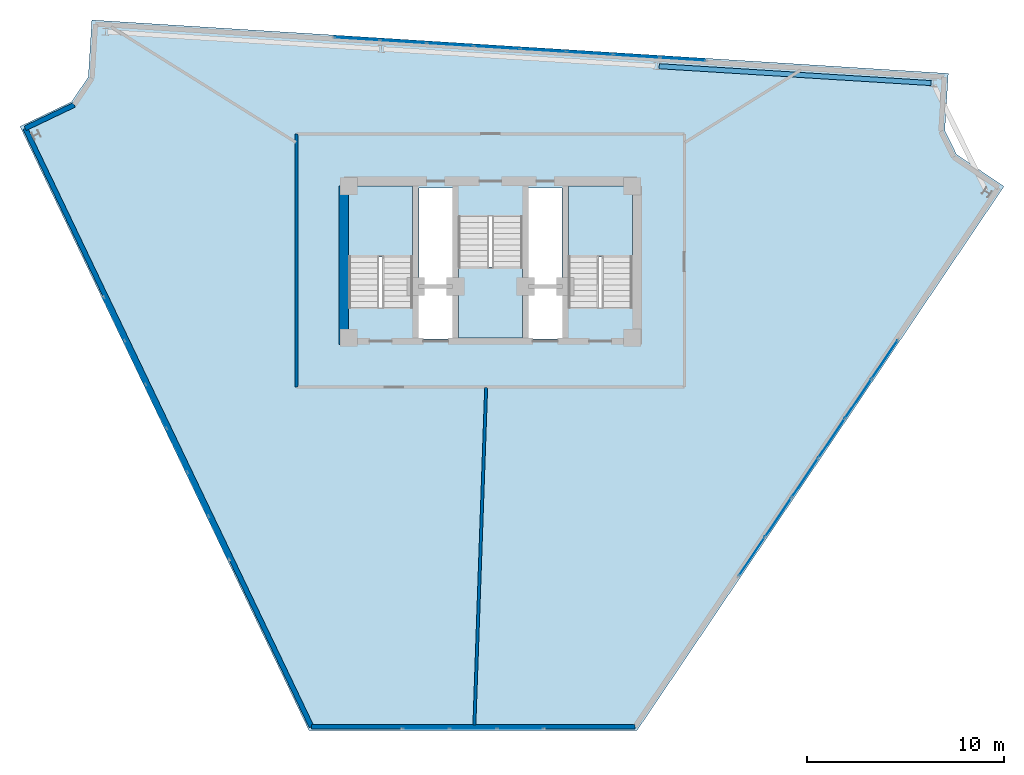
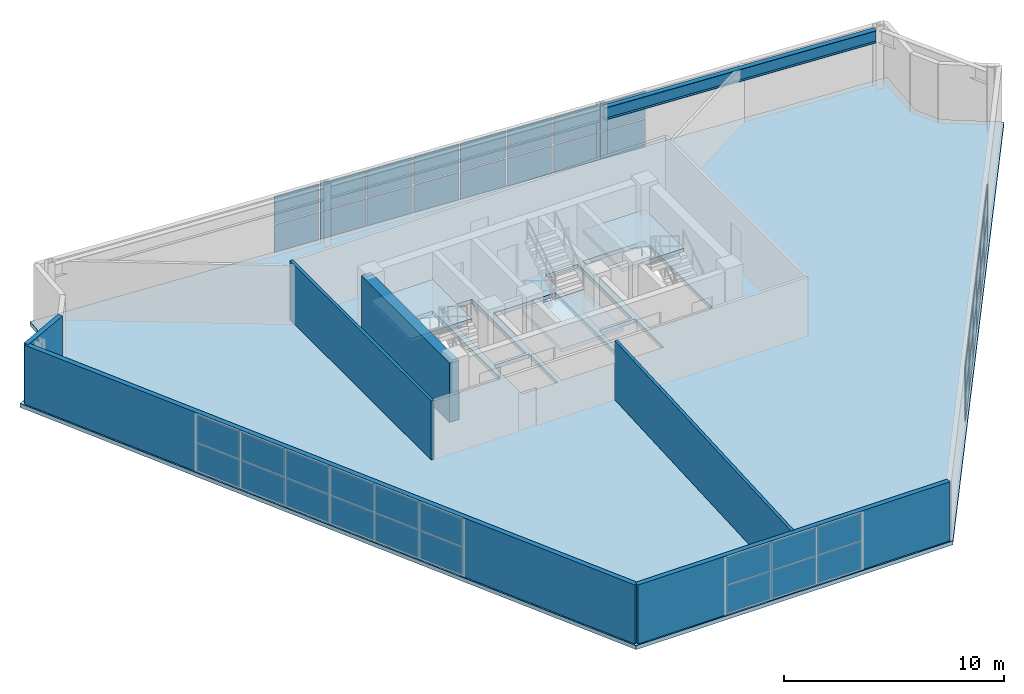
# One storey, part 6 of 8: 46 plates, 6 walls, 4 slabs, 1 beam, 7 elements without a shape of their own.
"""IFC4 building model written with IfcOpenShell, lengths in metres."""

from ifc_helpers import new_model, si_unit, direction, frame, frame_2d, origin, origin_2d, place, context, subcontext, project, spatial, polyline, rectangle, i_section, outline, extrude, material, layer, layer_set, material_profile, profile_set, type_object, element, aggregate, save


model = new_model("IFC4")

# Units and contexts
model_context = context("Model", 3, precision=1e-05, world=origin(), true_north=direction((0.0, 1.0)))
body_context = subcontext(model_context, "Body", "Model", "MODEL_VIEW")
ifc_project = project(units=[si_unit("LENGTHUNIT", "METRE"), si_unit("AREAUNIT", "SQUARE_METRE"), si_unit("VOLUMEUNIT", "CUBIC_METRE"), si_unit("PLANEANGLEUNIT", "RADIAN"), si_unit("MASSUNIT", "GRAM", prefix="KILO")], contexts=[model_context])

# Site, building, storey
site_placement = place(None, origin())
site = spatial("IfcSite", under=ifc_project, at=site_placement, CompositionType="ELEMENT")
building_placement = place(site_placement, origin())
building = spatial("IfcBuilding", under=site, at=building_placement, Name="Apsidion Concourse Tower", CompositionType="ELEMENT")
storey_placement = place(building_placement, frame((0.0, 0.0, 332.5)))
storey = spatial("IfcBuildingStorey", under=building, at=storey_placement, Name="L78", CompositionType="ELEMENT", Elevation=332.5)

# Beam
ifc_material_1 = material(Name="Structural steel ASTM A992 Grade 50", Category="steel")
ifc_material_profile = material_profile(ifc_material_1, i_section(OverallWidth=0.256103515625, OverallDepth=0.693115234375, WebThickness=0.014404296875, FlangeThickness=0.023681640625, at=origin_2d()), Name="W27X114")
ifc_profile_set = profile_set([ifc_material_profile], Name="Structural steel ASTM A992 Grade 50")
beam_type = type_object("IfcBeamType", Name="BM-SP-W27", PredefinedType="SPANDREL", material=ifc_profile_set)
beam_placement = place(storey_placement, frame((22.377197265625, 14.384765625, 2.93359375), z_axis=(-0.998077561187, 0.06197726886, 0.0), x_axis=(-0.06197726886, -0.998077561187, 0.0)))
element("IfcBeam", 1, at=beam_placement, inside=storey, type_object=beam_type, Name="L78 Crown Perimeter Spandrel Beam CSP-03", PredefinedType="SPANDREL", context=body_context, shape_type="SweptSolid", body=[
    extrude(i_section(OverallWidth=0.256103515625, OverallDepth=0.693115234375, WebThickness=0.014404296875, FlangeThickness=0.023681640625, at=origin_2d()), origin(), (0.0, 0.0, 1.0), 13.83447265625),
])

# Curtain wall, plates
ifc_material_2 = material(Name="Insulated laminated low-E glass", Category="glass")
ifc_layer_1 = layer(ifc_material_2, 0.239990234375)
ifc_layer_set_1 = layer_set([ifc_layer_1], Name="Insulated laminated low-E glass")
curtain_wall_type = type_object("IfcCurtainWallType", Name="CW-SYS-06", PredefinedType="NOTDEFINED", material=ifc_layer_set_1)
curtain_wall_1_placement = place(storey_placement, origin())
curtain_wall_1 = element("IfcCurtainWall", 2, at=curtain_wall_1_placement, inside=storey, type_object=curtain_wall_type, Name="L78 Slanted Crown Curtain Wall 4", PredefinedType="NOTDEFINED")
ifc_layer_2 = layer(ifc_material_2, 0.0400390625)
ifc_layer_set_2 = layer_set([ifc_layer_2], Name="Insulated laminated low-E glass")
plate_type = type_object("IfcPlateType", Name="CWP-GLZ-40", PredefinedType="CURTAIN_PANEL", material=ifc_layer_set_2)
plate_1_placement = place(storey_placement, frame((-6.7822265625, 16.6435546875, 0.06494140625), z_axis=(0.0, 0.0, 1.0), x_axis=(0.998060925381, -0.062244591953, 0.0)))
plate_1 = element("IfcPlate", 3, at=plate_1_placement, type_object=plate_type, Name="CW-06 panel 1.1", PredefinedType="CURTAIN_PANEL", context=body_context, shape_type="SweptSolid", body=[
    extrude(rectangle(XDim=2.27734375, YDim=0.0400390625, at=origin_2d()), origin(), (0.0, 0.0, 1.0), 1.517578125),
])
plate_2_placement = place(storey_placement, frame((-6.7822265625, 16.6435546875, 1.6474609375), z_axis=(0.0, 0.0, 1.0), x_axis=(0.998060925381, -0.062244591953, 0.0)))
plate_2 = element("IfcPlate", 4, at=plate_2_placement, type_object=plate_type, Name="CW-06 panel 1.2", PredefinedType="CURTAIN_PANEL", context=body_context, shape_type="SweptSolid", body=[
    extrude(rectangle(XDim=2.27734375, YDim=0.0400390625, at=origin_2d()), origin(), (0.0, 0.0, 1.0), 1.517578125),
])
plate_3_placement = place(storey_placement, frame((-4.42822265625, 16.496826171875, 0.06494140625), z_axis=(0.0, 0.0, 1.0), x_axis=(0.998060925381, -0.062244591953, 0.0)))
plate_3 = element("IfcPlate", 5, at=plate_3_placement, type_object=plate_type, Name="CW-06 panel 2.1", PredefinedType="CURTAIN_PANEL", context=body_context, shape_type="SweptSolid", body=[
    extrude(rectangle(XDim=2.309814453125, YDim=0.0400390625, at=origin_2d()), origin(), (0.0, 0.0, 1.0), 1.517578125),
])
plate_4_placement = place(storey_placement, frame((-4.42822265625, 16.496826171875, 1.6474609375), z_axis=(0.0, 0.0, 1.0), x_axis=(0.998060925381, -0.062244591953, 0.0)))
plate_4 = element("IfcPlate", 6, at=plate_4_placement, type_object=plate_type, Name="CW-06 panel 2.2", PredefinedType="CURTAIN_PANEL", context=body_context, shape_type="SweptSolid", body=[
    extrude(rectangle(XDim=2.309814453125, YDim=0.0400390625, at=origin_2d()), origin(), (0.0, 0.0, 1.0), 1.517578125),
])
plate_5_placement = place(storey_placement, frame((-2.057861328125, 16.34912109375, 0.06494140625), z_axis=(0.0, 0.0, 1.0), x_axis=(0.998060925381, -0.062244591953, 0.0)))
plate_5 = element("IfcPlate", 7, at=plate_5_placement, type_object=plate_type, Name="CW-06 panel 3.1", PredefinedType="CURTAIN_PANEL", context=body_context, shape_type="SweptSolid", body=[
    extrude(rectangle(XDim=2.309814453125, YDim=0.0400390625, at=origin_2d()), origin(), (0.0, 0.0, 1.0), 1.517578125),
])
plate_6_placement = place(storey_placement, frame((-2.057861328125, 16.34912109375, 1.6474609375), z_axis=(0.0, 0.0, 1.0), x_axis=(0.998060925381, -0.062244591953, 0.0)))
plate_6 = element("IfcPlate", 8, at=plate_6_placement, type_object=plate_type, Name="CW-06 panel 3.2", PredefinedType="CURTAIN_PANEL", context=body_context, shape_type="SweptSolid", body=[
    extrude(rectangle(XDim=2.309814453125, YDim=0.0400390625, at=origin_2d()), origin(), (0.0, 0.0, 1.0), 1.517578125),
])
plate_7_placement = place(storey_placement, frame((0.312255859375, 16.201171875, 0.06494140625), z_axis=(0.0, 0.0, 1.0), x_axis=(0.998060925381, -0.062244591953, 0.0)))
plate_7 = element("IfcPlate", 9, at=plate_7_placement, type_object=plate_type, Name="CW-06 panel 4.1", PredefinedType="CURTAIN_PANEL", context=body_context, shape_type="SweptSolid", body=[
    extrude(rectangle(XDim=2.309814453125, YDim=0.0400390625, at=origin_2d()), origin(), (0.0, 0.0, 1.0), 1.517578125),
])
plate_8_placement = place(storey_placement, frame((0.312255859375, 16.201171875, 1.6474609375), z_axis=(0.0, 0.0, 1.0), x_axis=(0.998060925381, -0.062244591953, 0.0)))
plate_8 = element("IfcPlate", 10, at=plate_8_placement, type_object=plate_type, Name="CW-06 panel 4.2", PredefinedType="CURTAIN_PANEL", context=body_context, shape_type="SweptSolid", body=[
    extrude(rectangle(XDim=2.309814453125, YDim=0.0400390625, at=origin_2d()), origin(), (0.0, 0.0, 1.0), 1.517578125),
])
plate_9_placement = place(storey_placement, frame((2.6826171875, 16.053466796875, 0.06494140625), z_axis=(0.0, 0.0, 1.0), x_axis=(0.998060925381, -0.062244591953, 0.0)))
plate_9 = element("IfcPlate", 11, at=plate_9_placement, type_object=plate_type, Name="CW-06 panel 5.1", PredefinedType="CURTAIN_PANEL", context=body_context, shape_type="SweptSolid", body=[
    extrude(rectangle(XDim=2.309814453125, YDim=0.0400390625, at=origin_2d()), origin(), (0.0, 0.0, 1.0), 1.517578125),
])
plate_10_placement = place(storey_placement, frame((2.6826171875, 16.053466796875, 1.6474609375), z_axis=(0.0, 0.0, 1.0), x_axis=(0.998060925381, -0.062244591953, 0.0)))
plate_10 = element("IfcPlate", 12, at=plate_10_placement, type_object=plate_type, Name="CW-06 panel 5.2", PredefinedType="CURTAIN_PANEL", context=body_context, shape_type="SweptSolid", body=[
    extrude(rectangle(XDim=2.309814453125, YDim=0.0400390625, at=origin_2d()), origin(), (0.0, 0.0, 1.0), 1.517578125),
])
plate_11_placement = place(storey_placement, frame((5.052978515625, 15.905517578125, 0.06494140625), z_axis=(0.0, 0.0, 1.0), x_axis=(0.998060925381, -0.062244591953, 0.0)))
plate_11 = element("IfcPlate", 13, at=plate_11_placement, type_object=plate_type, Name="CW-06 panel 6.1", PredefinedType="CURTAIN_PANEL", context=body_context, shape_type="SweptSolid", body=[
    extrude(rectangle(XDim=2.309814453125, YDim=0.0400390625, at=origin_2d()), origin(), (0.0, 0.0, 1.0), 1.517578125),
])
plate_12_placement = place(storey_placement, frame((5.052978515625, 15.905517578125, 1.6474609375), z_axis=(0.0, 0.0, 1.0), x_axis=(0.998060925381, -0.062244591953, 0.0)))
plate_12 = element("IfcPlate", 14, at=plate_12_placement, type_object=plate_type, Name="CW-06 panel 6.2", PredefinedType="CURTAIN_PANEL", context=body_context, shape_type="SweptSolid", body=[
    extrude(rectangle(XDim=2.309814453125, YDim=0.0400390625, at=origin_2d()), origin(), (0.0, 0.0, 1.0), 1.517578125),
])
plate_13_placement = place(storey_placement, frame((7.42333984375, 15.7578125, 0.06494140625), z_axis=(0.0, 0.0, 1.0), x_axis=(0.998060925381, -0.062244591953, 0.0)))
plate_13 = element("IfcPlate", 15, at=plate_13_placement, type_object=plate_type, Name="CW-06 panel 7.1", PredefinedType="CURTAIN_PANEL", context=body_context, shape_type="SweptSolid", body=[
    extrude(rectangle(XDim=2.309814453125, YDim=0.0400390625, at=origin_2d()), origin(), (0.0, 0.0, 1.0), 1.517578125),
])
plate_14_placement = place(storey_placement, frame((7.42333984375, 15.7578125, 1.6474609375), z_axis=(0.0, 0.0, 1.0), x_axis=(0.998060925381, -0.062244591953, 0.0)))
plate_14 = element("IfcPlate", 16, at=plate_14_placement, type_object=plate_type, Name="CW-06 panel 7.2", PredefinedType="CURTAIN_PANEL", context=body_context, shape_type="SweptSolid", body=[
    extrude(rectangle(XDim=2.309814453125, YDim=0.0400390625, at=origin_2d()), origin(), (0.0, 0.0, 1.0), 1.517578125),
])
plate_15_placement = place(storey_placement, frame((9.77734375, 15.61083984375, 0.06494140625), z_axis=(0.0, 0.0, 1.0), x_axis=(0.998060925381, -0.062244591953, 0.0)))
plate_15 = element("IfcPlate", 17, at=plate_15_placement, type_object=plate_type, Name="CW-06 panel 8.1", PredefinedType="CURTAIN_PANEL", context=body_context, shape_type="SweptSolid", body=[
    extrude(rectangle(XDim=2.27734375, YDim=0.0400390625, at=origin_2d()), origin(), (0.0, 0.0, 1.0), 1.517578125),
])
plate_16_placement = place(storey_placement, frame((9.77734375, 15.61083984375, 1.6474609375), z_axis=(0.0, 0.0, 1.0), x_axis=(0.998060925381, -0.062244591953, 0.0)))
plate_16 = element("IfcPlate", 18, at=plate_16_placement, type_object=plate_type, Name="CW-06 panel 8.2", PredefinedType="CURTAIN_PANEL", context=body_context, shape_type="SweptSolid", body=[
    extrude(rectangle(XDim=2.27734375, YDim=0.0400390625, at=origin_2d()), origin(), (0.0, 0.0, 1.0), 1.517578125),
])
aggregate(curtain_wall_1, [plate_1, plate_2, plate_3, plate_4, plate_5, plate_6, plate_7, plate_8, plate_9, plate_10, plate_11, plate_12, plate_13, plate_14, plate_15, plate_16])

curtain_wall_2_placement = place(storey_placement, origin())
curtain_wall_2 = element("IfcCurtainWall", 19, at=curtain_wall_2_placement, inside=storey, type_object=curtain_wall_type, Name="L78 Slanted Crown Curtain Wall 8", PredefinedType="NOTDEFINED")
plate_17_placement = place(storey_placement, frame((20.020751953125, 0.344970703125, 0.06494140625), z_axis=(0.0, 0.0, 1.0), x_axis=(-0.559192153172, -0.829038078637, 0.0)))
plate_17 = element("IfcPlate", 20, at=plate_17_placement, type_object=plate_type, Name="CW-06 panel 1.1", PredefinedType="CURTAIN_PANEL", context=body_context, shape_type="SweptSolid", body=[
    extrude(rectangle(XDim=2.32470703125, YDim=0.0400390625, at=origin_2d()), origin(), (0.0, 0.0, 1.0), 1.517578125),
])
plate_18_placement = place(storey_placement, frame((20.020751953125, 0.344970703125, 1.6474609375), z_axis=(0.0, 0.0, 1.0), x_axis=(-0.559192153172, -0.829038078637, 0.0)))
plate_18 = element("IfcPlate", 21, at=plate_18_placement, type_object=plate_type, Name="CW-06 panel 1.2", PredefinedType="CURTAIN_PANEL", context=body_context, shape_type="SweptSolid", body=[
    extrude(rectangle(XDim=2.32470703125, YDim=0.0400390625, at=origin_2d()), origin(), (0.0, 0.0, 1.0), 1.517578125),
])
plate_19_placement = place(storey_placement, frame((18.67529296875, -1.6494140625, 0.06494140625), z_axis=(0.0, 0.0, 1.0), x_axis=(-0.559192153172, -0.829038078637, 0.0)))
plate_19 = element("IfcPlate", 22, at=plate_19_placement, type_object=plate_type, Name="CW-06 panel 2.1", PredefinedType="CURTAIN_PANEL", context=body_context, shape_type="SweptSolid", body=[
    extrude(rectangle(XDim=2.357177734375, YDim=0.0400390625, at=origin_2d()), origin(), (0.0, 0.0, 1.0), 1.517578125),
])
plate_20_placement = place(storey_placement, frame((18.67529296875, -1.6494140625, 1.6474609375), z_axis=(0.0, 0.0, 1.0), x_axis=(-0.559192153172, -0.829038078637, 0.0)))
plate_20 = element("IfcPlate", 23, at=plate_20_placement, type_object=plate_type, Name="CW-06 panel 2.2", PredefinedType="CURTAIN_PANEL", context=body_context, shape_type="SweptSolid", body=[
    extrude(rectangle(XDim=2.357177734375, YDim=0.0400390625, at=origin_2d()), origin(), (0.0, 0.0, 1.0), 1.517578125),
])
plate_21_placement = place(storey_placement, frame((17.321044921875, -3.65771484375, 0.06494140625), z_axis=(0.0, 0.0, 1.0), x_axis=(-0.559192153172, -0.829038078637, 0.0)))
plate_21 = element("IfcPlate", 24, at=plate_21_placement, type_object=plate_type, Name="CW-06 panel 3.1", PredefinedType="CURTAIN_PANEL", context=body_context, shape_type="SweptSolid", body=[
    extrude(rectangle(XDim=2.357177734375, YDim=0.0400390625, at=origin_2d()), origin(), (0.0, 0.0, 1.0), 1.517578125),
])
plate_22_placement = place(storey_placement, frame((17.321044921875, -3.65771484375, 1.6474609375), z_axis=(0.0, 0.0, 1.0), x_axis=(-0.559192153172, -0.829038078637, 0.0)))
plate_22 = element("IfcPlate", 25, at=plate_22_placement, type_object=plate_type, Name="CW-06 panel 3.2", PredefinedType="CURTAIN_PANEL", context=body_context, shape_type="SweptSolid", body=[
    extrude(rectangle(XDim=2.357177734375, YDim=0.0400390625, at=origin_2d()), origin(), (0.0, 0.0, 1.0), 1.517578125),
])
plate_23_placement = place(storey_placement, frame((15.966552734375, -5.665771484375, 0.06494140625), z_axis=(0.0, 0.0, 1.0), x_axis=(-0.559192153172, -0.829038078637, 0.0)))
plate_23 = element("IfcPlate", 26, at=plate_23_placement, type_object=plate_type, Name="CW-06 panel 4.1", PredefinedType="CURTAIN_PANEL", context=body_context, shape_type="SweptSolid", body=[
    extrude(rectangle(XDim=2.357177734375, YDim=0.0400390625, at=origin_2d()), origin(), (0.0, 0.0, 1.0), 1.517578125),
])
plate_24_placement = place(storey_placement, frame((15.966552734375, -5.665771484375, 1.6474609375), z_axis=(0.0, 0.0, 1.0), x_axis=(-0.559192153172, -0.829038078637, 0.0)))
plate_24 = element("IfcPlate", 27, at=plate_24_placement, type_object=plate_type, Name="CW-06 panel 4.2", PredefinedType="CURTAIN_PANEL", context=body_context, shape_type="SweptSolid", body=[
    extrude(rectangle(XDim=2.357177734375, YDim=0.0400390625, at=origin_2d()), origin(), (0.0, 0.0, 1.0), 1.517578125),
])
plate_25_placement = place(storey_placement, frame((14.612060546875, -7.673828125, 0.06494140625), z_axis=(0.0, 0.0, 1.0), x_axis=(-0.559192153172, -0.829038078637, 0.0)))
plate_25 = element("IfcPlate", 28, at=plate_25_placement, type_object=plate_type, Name="CW-06 panel 5.1", PredefinedType="CURTAIN_PANEL", context=body_context, shape_type="SweptSolid", body=[
    extrude(rectangle(XDim=2.357177734375, YDim=0.0400390625, at=origin_2d()), origin(), (0.0, 0.0, 1.0), 1.517578125),
])
plate_26_placement = place(storey_placement, frame((14.612060546875, -7.673828125, 1.6474609375), z_axis=(0.0, 0.0, 1.0), x_axis=(-0.559192153172, -0.829038078637, 0.0)))
plate_26 = element("IfcPlate", 29, at=plate_26_placement, type_object=plate_type, Name="CW-06 panel 5.2", PredefinedType="CURTAIN_PANEL", context=body_context, shape_type="SweptSolid", body=[
    extrude(rectangle(XDim=2.357177734375, YDim=0.0400390625, at=origin_2d()), origin(), (0.0, 0.0, 1.0), 1.517578125),
])
plate_27_placement = place(storey_placement, frame((13.2666015625, -9.66845703125, 0.06494140625), z_axis=(0.0, 0.0, 1.0), x_axis=(-0.559192153172, -0.829038078637, 0.0)))
plate_27 = element("IfcPlate", 30, at=plate_27_placement, type_object=plate_type, Name="CW-06 panel 6.1", PredefinedType="CURTAIN_PANEL", context=body_context, shape_type="SweptSolid", body=[
    extrude(rectangle(XDim=2.32470703125, YDim=0.0400390625, at=origin_2d()), origin(), (0.0, 0.0, 1.0), 1.517578125),
])
plate_28_placement = place(storey_placement, frame((13.2666015625, -9.66845703125, 1.6474609375), z_axis=(0.0, 0.0, 1.0), x_axis=(-0.559192153172, -0.829038078637, 0.0)))
plate_28 = element("IfcPlate", 31, at=plate_28_placement, type_object=plate_type, Name="CW-06 panel 6.2", PredefinedType="CURTAIN_PANEL", context=body_context, shape_type="SweptSolid", body=[
    extrude(rectangle(XDim=2.32470703125, YDim=0.0400390625, at=origin_2d()), origin(), (0.0, 0.0, 1.0), 1.517578125),
])
aggregate(curtain_wall_2, [plate_17, plate_18, plate_19, plate_20, plate_21, plate_22, plate_23, plate_24, plate_25, plate_26, plate_27, plate_28])

curtain_wall_3_placement = place(storey_placement, origin())
curtain_wall_3 = element("IfcCurtainWall", 32, at=curtain_wall_3_placement, inside=storey, type_object=curtain_wall_type, Name="L78 Slanted Crown Curtain Wall 9", PredefinedType="NOTDEFINED")
plate_29_placement = place(storey_placement, frame((1.513427734375, -18.39501953125, 0.06494140625), z_axis=(0.0, 0.0, 1.0), x_axis=(-1.0, 0.0, 0.0)))
plate_29 = element("IfcPlate", 33, at=plate_29_placement, type_object=plate_type, Name="CW-06 panel 1.1", PredefinedType="CURTAIN_PANEL", context=body_context, shape_type="SweptSolid", body=[
    extrude(rectangle(XDim=2.31005859375, YDim=0.0400390625, at=origin_2d()), origin(), (0.0, 0.0, 1.0), 1.517578125),
])
plate_30_placement = place(storey_placement, frame((1.513427734375, -18.39501953125, 1.6474609375), z_axis=(0.0, 0.0, 1.0), x_axis=(-1.0, 0.0, 0.0)))
plate_30 = element("IfcPlate", 34, at=plate_30_placement, type_object=plate_type, Name="CW-06 panel 1.2", PredefinedType="CURTAIN_PANEL", context=body_context, shape_type="SweptSolid", body=[
    extrude(rectangle(XDim=2.31005859375, YDim=0.0400390625, at=origin_2d()), origin(), (0.0, 0.0, 1.0), 1.517578125),
])
plate_31_placement = place(storey_placement, frame((-0.8779296875, -18.39501953125, 0.06494140625), z_axis=(0.0, 0.0, 1.0), x_axis=(-1.0, 0.0, 0.0)))
plate_31 = element("IfcPlate", 35, at=plate_31_placement, type_object=plate_type, Name="CW-06 panel 2.1", PredefinedType="CURTAIN_PANEL", context=body_context, shape_type="SweptSolid", body=[
    extrude(rectangle(XDim=2.3427734375, YDim=0.0400390625, at=origin_2d()), origin(), (0.0, 0.0, 1.0), 1.517578125),
])
plate_32_placement = place(storey_placement, frame((-0.8779296875, -18.39501953125, 1.6474609375), z_axis=(0.0, 0.0, 1.0), x_axis=(-1.0, 0.0, 0.0)))
plate_32 = element("IfcPlate", 36, at=plate_32_placement, type_object=plate_type, Name="CW-06 panel 2.2", PredefinedType="CURTAIN_PANEL", context=body_context, shape_type="SweptSolid", body=[
    extrude(rectangle(XDim=2.3427734375, YDim=0.0400390625, at=origin_2d()), origin(), (0.0, 0.0, 1.0), 1.517578125),
])
plate_33_placement = place(storey_placement, frame((-3.26953125, -18.39501953125, 0.06494140625), z_axis=(0.0, 0.0, 1.0), x_axis=(-1.0, 0.0, 0.0)))
plate_33 = element("IfcPlate", 37, at=plate_33_placement, type_object=plate_type, Name="CW-06 panel 3.1", PredefinedType="CURTAIN_PANEL", context=body_context, shape_type="SweptSolid", body=[
    extrude(rectangle(XDim=2.31005859375, YDim=0.0400390625, at=origin_2d()), origin(), (0.0, 0.0, 1.0), 1.517578125),
])
plate_34_placement = place(storey_placement, frame((-3.26953125, -18.39501953125, 1.6474609375), z_axis=(0.0, 0.0, 1.0), x_axis=(-1.0, 0.0, 0.0)))
plate_34 = element("IfcPlate", 38, at=plate_34_placement, type_object=plate_type, Name="CW-06 panel 3.2", PredefinedType="CURTAIN_PANEL", context=body_context, shape_type="SweptSolid", body=[
    extrude(rectangle(XDim=2.31005859375, YDim=0.0400390625, at=origin_2d()), origin(), (0.0, 0.0, 1.0), 1.517578125),
])
aggregate(curtain_wall_3, [plate_29, plate_30, plate_31, plate_32, plate_33, plate_34])

curtain_wall_4_placement = place(storey_placement, origin())
curtain_wall_4 = element("IfcCurtainWall", 39, at=curtain_wall_4_placement, inside=storey, type_object=curtain_wall_type, Name="L78 Slanted Crown Curtain Wall 10", PredefinedType="NOTDEFINED")
plate_35_placement = place(storey_placement, frame((-13.782470703125, -8.703857421875, 0.06494140625), z_axis=(0.0, 0.0, 1.0), x_axis=(-0.431595868036, 0.902067074387, 0.0)))
plate_35 = element("IfcPlate", 40, at=plate_35_placement, type_object=plate_type, Name="CW-06 panel 1.1", PredefinedType="CURTAIN_PANEL", context=body_context, shape_type="SweptSolid", body=[
    extrude(rectangle(XDim=2.372802734375, YDim=0.0400390625, at=origin_2d()), origin(), (0.0, 0.0, 1.0), 1.517578125),
])
plate_36_placement = place(storey_placement, frame((-13.782470703125, -8.703857421875, 1.6474609375), z_axis=(0.0, 0.0, 1.0), x_axis=(-0.431595868036, 0.902067074387, 0.0)))
plate_36 = element("IfcPlate", 41, at=plate_36_placement, type_object=plate_type, Name="CW-06 panel 1.2", PredefinedType="CURTAIN_PANEL", context=body_context, shape_type="SweptSolid", body=[
    extrude(rectangle(XDim=2.372802734375, YDim=0.0400390625, at=origin_2d()), origin(), (0.0, 0.0, 1.0), 1.517578125),
])
plate_37_placement = place(storey_placement, frame((-14.841552734375, -6.490234375, 0.06494140625), z_axis=(0.0, 0.0, 1.0), x_axis=(-0.431595868036, 0.902067074387, 0.0)))
plate_37 = element("IfcPlate", 42, at=plate_37_placement, type_object=plate_type, Name="CW-06 panel 2.1", PredefinedType="CURTAIN_PANEL", context=body_context, shape_type="SweptSolid", body=[
    extrude(rectangle(XDim=2.4052734375, YDim=0.0400390625, at=origin_2d()), origin(), (0.0, 0.0, 1.0), 1.517578125),
])
plate_38_placement = place(storey_placement, frame((-14.841552734375, -6.490234375, 1.6474609375), z_axis=(0.0, 0.0, 1.0), x_axis=(-0.431595868036, 0.902067074387, 0.0)))
plate_38 = element("IfcPlate", 43, at=plate_38_placement, type_object=plate_type, Name="CW-06 panel 2.2", PredefinedType="CURTAIN_PANEL", context=body_context, shape_type="SweptSolid", body=[
    extrude(rectangle(XDim=2.4052734375, YDim=0.0400390625, at=origin_2d()), origin(), (0.0, 0.0, 1.0), 1.517578125),
])
plate_39_placement = place(storey_placement, frame((-15.90771484375, -4.26171875, 0.06494140625), z_axis=(0.0, 0.0, 1.0), x_axis=(-0.431595868036, 0.902067074387, 0.0)))
plate_39 = element("IfcPlate", 44, at=plate_39_placement, type_object=plate_type, Name="CW-06 panel 3.1", PredefinedType="CURTAIN_PANEL", context=body_context, shape_type="SweptSolid", body=[
    extrude(rectangle(XDim=2.4052734375, YDim=0.0400390625, at=origin_2d()), origin(), (0.0, 0.0, 1.0), 1.517578125),
])
plate_40_placement = place(storey_placement, frame((-15.90771484375, -4.26171875, 1.6474609375), z_axis=(0.0, 0.0, 1.0), x_axis=(-0.431595868036, 0.902067074387, 0.0)))
plate_40 = element("IfcPlate", 45, at=plate_40_placement, type_object=plate_type, Name="CW-06 panel 3.2", PredefinedType="CURTAIN_PANEL", context=body_context, shape_type="SweptSolid", body=[
    extrude(rectangle(XDim=2.4052734375, YDim=0.0400390625, at=origin_2d()), origin(), (0.0, 0.0, 1.0), 1.517578125),
])
plate_41_placement = place(storey_placement, frame((-16.973876953125, -2.033447265625, 0.06494140625), z_axis=(0.0, 0.0, 1.0), x_axis=(-0.431595868036, 0.902067074387, 0.0)))
plate_41 = element("IfcPlate", 46, at=plate_41_placement, type_object=plate_type, Name="CW-06 panel 4.1", PredefinedType="CURTAIN_PANEL", context=body_context, shape_type="SweptSolid", body=[
    extrude(rectangle(XDim=2.4052734375, YDim=0.0400390625, at=origin_2d()), origin(), (0.0, 0.0, 1.0), 1.517578125),
])
plate_42_placement = place(storey_placement, frame((-16.973876953125, -2.033447265625, 1.6474609375), z_axis=(0.0, 0.0, 1.0), x_axis=(-0.431595868036, 0.902067074387, 0.0)))
plate_42 = element("IfcPlate", 47, at=plate_42_placement, type_object=plate_type, Name="CW-06 panel 4.2", PredefinedType="CURTAIN_PANEL", context=body_context, shape_type="SweptSolid", body=[
    extrude(rectangle(XDim=2.4052734375, YDim=0.0400390625, at=origin_2d()), origin(), (0.0, 0.0, 1.0), 1.517578125),
])
plate_43_placement = place(storey_placement, frame((-18.0400390625, 0.195068359375, 0.06494140625), z_axis=(0.0, 0.0, 1.0), x_axis=(-0.431595868036, 0.902067074387, 0.0)))
plate_43 = element("IfcPlate", 48, at=plate_43_placement, type_object=plate_type, Name="CW-06 panel 5.1", PredefinedType="CURTAIN_PANEL", context=body_context, shape_type="SweptSolid", body=[
    extrude(rectangle(XDim=2.4052734375, YDim=0.0400390625, at=origin_2d()), origin(), (0.0, 0.0, 1.0), 1.517578125),
])
plate_44_placement = place(storey_placement, frame((-18.0400390625, 0.195068359375, 1.6474609375), z_axis=(0.0, 0.0, 1.0), x_axis=(-0.431595868036, 0.902067074387, 0.0)))
plate_44 = element("IfcPlate", 49, at=plate_44_placement, type_object=plate_type, Name="CW-06 panel 5.2", PredefinedType="CURTAIN_PANEL", context=body_context, shape_type="SweptSolid", body=[
    extrude(rectangle(XDim=2.4052734375, YDim=0.0400390625, at=origin_2d()), origin(), (0.0, 0.0, 1.0), 1.517578125),
])
plate_45_placement = place(storey_placement, frame((-19.099365234375, 2.40869140625, 0.06494140625), z_axis=(0.0, 0.0, 1.0), x_axis=(-0.431595868036, 0.902067074387, 0.0)))
plate_45 = element("IfcPlate", 50, at=plate_45_placement, type_object=plate_type, Name="CW-06 panel 6.1", PredefinedType="CURTAIN_PANEL", context=body_context, shape_type="SweptSolid", body=[
    extrude(rectangle(XDim=2.372802734375, YDim=0.0400390625, at=origin_2d()), origin(), (0.0, 0.0, 1.0), 1.517578125),
])
plate_46_placement = place(storey_placement, frame((-19.099365234375, 2.40869140625, 1.6474609375), z_axis=(0.0, 0.0, 1.0), x_axis=(-0.431595868036, 0.902067074387, 0.0)))
plate_46 = element("IfcPlate", 51, at=plate_46_placement, type_object=plate_type, Name="CW-06 panel 6.2", PredefinedType="CURTAIN_PANEL", context=body_context, shape_type="SweptSolid", body=[
    extrude(rectangle(XDim=2.372802734375, YDim=0.0400390625, at=origin_2d()), origin(), (0.0, 0.0, 1.0), 1.517578125),
])
aggregate(curtain_wall_4, [plate_35, plate_36, plate_37, plate_38, plate_39, plate_40, plate_41, plate_42, plate_43, plate_44, plate_45, plate_46])

# Slab
ifc_material_3 = material(Name="Concrete C50/60", Category="concrete")
ifc_layer_3 = layer(ifc_material_3, 0.219970703125)
ifc_layer_set_3 = layer_set([ifc_layer_3], Name="Concrete C50/60")
slab_type_1 = type_object("IfcSlabType", Name="SL-FLR-220", PredefinedType="FLOOR", material=ifc_layer_set_3)
slab_1_placement = place(storey_placement, frame((0.0, 0.0, -0.219970703125)))
element("IfcSlab", 52, at=slab_1_placement, inside=storey, type_object=slab_type_1, Name="L78 Structural Floor Slab", PredefinedType="FLOOR", context=body_context, shape_type="SweptSolid", body=[
    extrude(outline(polyline([(-23.89111328125, 12.180908203125), (-21.27001953125, 13.43505859375), (-20.424560546875, 14.688232421875), (-20.24365234375, 17.58837890625), (23.251708984375, 14.875732421875), (23.07080078125, 11.9755859375), (23.668701171875, 10.76171875), (26.07763671875, 9.136962890625), (7.436279296875, -18.5), (-9.2119140625, -18.5), (-23.89111328125, 12.180908203125)]), holes=[polyline([(-3.949951171875, 3.0), (-3.949951171875, 9.14990234375), (-7.199951171875, 9.14990234375), (-7.199951171875, 3.0), (-3.949951171875, 3.0)]), polyline([(7.199951171875, 3.0), (7.199951171875, 9.14990234375), (3.949951171875, 9.14990234375), (3.949951171875, 3.0), (7.199951171875, 3.0)]), polyline([(-1.625, 7.60009765625), (-1.625, 1.449951171875), (1.625, 1.449951171875), (1.625, 7.60009765625), (-1.625, 7.60009765625)]), polyline([(-3.7099609375, 1.39990234375), (-1.85009765625, 1.39990234375), (-1.85009765625, 4.0), (-3.7099609375, 4.0), (-3.7099609375, 1.39990234375)]), polyline([(1.85009765625, 1.39990234375), (3.7099609375, 1.39990234375), (3.7099609375, 4.0), (1.85009765625, 4.0), (1.85009765625, 1.39990234375)]), polyline([(-3.6201171875, 4.14990234375), (-1.93994140625, 4.14990234375), (-1.93994140625, 9.050048828125), (-3.6201171875, 9.050048828125), (-3.6201171875, 4.14990234375)]), polyline([(1.93994140625, 4.14990234375), (3.6201171875, 4.14990234375), (3.6201171875, 9.050048828125), (1.93994140625, 9.050048828125), (1.93994140625, 4.14990234375)])]), origin(), (0.0, 0.0, 1.0), 0.219970703125),
])

# Stair, slab
ifc_material_4 = material(Name="Precast concrete C40/50", Category="concrete")
stair_type = type_object("IfcStairType", Name="ST-DL-1550", PredefinedType="HALF_TURN_STAIR", material=ifc_material_4)
stair_1_placement = place(storey_placement, origin())
stair_1 = element("IfcStair", 53, at=stair_1_placement, inside=storey, type_object=stair_type, Name="L78 Protected Core Exit Stair ST1", PredefinedType="HALF_TURN_STAIR")
ifc_layer_4 = layer(ifc_material_3, 0.199951171875)
ifc_layer_set_4 = layer_set([ifc_layer_4], Name="Concrete C50/60")
slab_type_2 = type_object("IfcSlabType", Name="SL-ST-LAND-200", PredefinedType="LANDING", material=ifc_layer_set_4)
slab_2_placement = place(storey_placement, frame((0.0, 0.0, 1.550048828125)))
slab_2 = element("IfcSlab", 54, at=slab_2_placement, type_object=slab_type_2, Name="ST1 landing 1", PredefinedType="LANDING", context=body_context, shape_type="SweptSolid", body=[
    extrude(outline(polyline([(-3.949951171875, 5.56494140625), (-3.949951171875, 9.14990234375), (-7.199951171875, 9.14990234375), (-7.199951171875, 5.56494140625), (-3.949951171875, 5.56494140625)])), origin(), (0.0, 0.0, 1.0), 0.199951171875),
])
aggregate(stair_1, [slab_2])

stair_2_placement = place(storey_placement, origin())
stair_2 = element("IfcStair", 55, at=stair_2_placement, inside=storey, type_object=stair_type, Name="L78 Protected Core Exit Stair ST2", PredefinedType="HALF_TURN_STAIR")
slab_3_placement = place(storey_placement, frame((0.0, 0.0, 1.550048828125)))
slab_3 = element("IfcSlab", 56, at=slab_3_placement, type_object=slab_type_2, Name="ST2 landing 1", PredefinedType="LANDING", context=body_context, shape_type="SweptSolid", body=[
    extrude(outline(polyline([(7.199951171875, 5.56494140625), (7.199951171875, 9.14990234375), (3.949951171875, 9.14990234375), (3.949951171875, 5.56494140625), (7.199951171875, 5.56494140625)])), origin(), (0.0, 0.0, 1.0), 0.199951171875),
])
aggregate(stair_2, [slab_3])

stair_3_placement = place(storey_placement, origin())
stair_3 = element("IfcStair", 57, at=stair_3_placement, inside=storey, type_object=stair_type, Name="L78 Protected Core Exit Stair ST3", PredefinedType="HALF_TURN_STAIR")
slab_4_placement = place(storey_placement, frame((0.0, 0.0, 1.550048828125)))
slab_4 = element("IfcSlab", 58, at=slab_4_placement, type_object=slab_type_2, Name="ST3 landing 1", PredefinedType="LANDING", context=body_context, shape_type="SweptSolid", body=[
    extrude(outline(polyline([(-1.625, 5.034912109375), (-1.625, 1.449951171875), (1.625, 1.449951171875), (1.625, 5.034912109375), (-1.625, 5.034912109375)])), origin(), (0.0, 0.0, 1.0), 0.199951171875),
])
aggregate(stair_3, [slab_4])

# Walls
ifc_layer_5 = layer(ifc_material_4, 0.25)
ifc_layer_set_5 = layer_set([ifc_layer_5], Name="Precast concrete C40/50")
wall_type_1 = type_object("IfcWallType", Name="WL-EXT-250", PredefinedType="STANDARD", material=ifc_layer_set_5)
wall_1_placement = place(storey_placement, frame((-23.62451171875, 12.0869140625, 0.0), z_axis=(0.0, 0.0, 1.0), x_axis=(0.902092306117, 0.431543127909, 0.0)))
element("IfcWall", 59, at=wall_1_placement, inside=storey, type_object=wall_type_1, Name="L78 Precast Stone Facade Wall 01", PredefinedType="STANDARD", context=body_context, shape_type="SweptSolid", body=[
    extrude(rectangle(XDim=2.76025390625, YDim=0.25, at=frame_2d((1.380126953125, 0.0))), origin(), (0.0, 0.0, 1.0), 3.280029296875),
])
wall_2_placement = place(storey_placement, frame((7.329833984375, -18.300048828125, 0.0), z_axis=(0.0, 0.0, 1.0), x_axis=(-1.0, 0.0, 0.0)))
element("IfcWall", 60, at=wall_2_placement, inside=storey, type_object=wall_type_1, Name="L78 Precast Stone Facade Wall 09", PredefinedType="STANDARD", context=body_context, shape_type="SweptSolid", body=[
    extrude(rectangle(XDim=16.415771484375, YDim=0.25, at=frame_2d((8.2080078125, 0.0))), origin(), (0.0, 0.0, 1.0), 3.280029296875),
])
wall_3_placement = place(storey_placement, frame((-9.0859375, -18.300048828125, 0.0), z_axis=(0.0, 0.0, 1.0), x_axis=(-0.431592694358, 0.902068592834, 0.0)))
element("IfcWall", 61, at=wall_3_placement, inside=storey, type_object=wall_type_1, Name="L78 Precast Stone Facade Wall 10", PredefinedType="STANDARD", context=body_context, shape_type="SweptSolid", body=[
    extrude(rectangle(XDim=33.685791015625, YDim=0.25, at=frame_2d((16.8427734375, 0.0))), origin(), (0.0, 0.0, 1.0), 3.280029296875),
])
ifc_material_5 = material(Name="Gypsum plasterboard partition")
ifc_layer_6 = layer(ifc_material_5, 0.14990234375)
ifc_layer_set_6 = layer_set([ifc_layer_6], Name="Gypsum plasterboard partition")
wall_type_2 = type_object("IfcWallType", Name="WL-INT-PAR-150", PredefinedType="PARTITIONING", material=ifc_layer_set_6)
wall_4_placement = place(storey_placement, frame((-9.85009765625, -1.054931640625, 0.0), z_axis=(0.0, 0.0, 1.0), x_axis=(0.0, 1.0, 0.0)))
element("IfcWall", 62, at=wall_4_placement, inside=storey, type_object=wall_type_2, Name="L78 Interior Partition WL-L78-CCR-4", PredefinedType="PARTITIONING", context=body_context, shape_type="SweptSolid", body=[
    extrude(rectangle(XDim=12.85498046875, YDim=0.14990234375, at=frame_2d((6.427490234375, 0.0))), origin(), (0.0, 0.0, 1.0), 3.280029296875),
])
wall_5_placement = place(storey_placement, frame((-0.219482421875, -1.0849609375, 0.0), z_axis=(0.0, 0.0, 1.0), x_axis=(-0.034892631194, -0.999391066744, 0.0)))
element("IfcWall", 63, at=wall_5_placement, inside=storey, type_object=wall_type_2, Name="L78 Interior Partition WL-L78-CRD-3-1", PredefinedType="PARTITIONING", context=body_context, shape_type="SweptSolid", body=[
    extrude(rectangle(XDim=17.135498046875, YDim=0.14990234375, at=frame_2d((8.56787109375, 0.0))), origin(), (0.0, 0.0, 1.0), 3.280029296875),
])
ifc_layer_7 = layer(ifc_material_3, 0.5)
ifc_layer_set_7 = layer_set([ifc_layer_7], Name="Concrete C50/60")
wall_type_3 = type_object("IfcWallType", Name="WL-SH-500", PredefinedType="SHEAR", material=ifc_layer_set_7)
wall_6_placement = place(storey_placement, frame((-7.449951171875, 1.10009765625, 0.0), z_axis=(0.0, 0.0, 1.0), x_axis=(0.0, 1.0, 0.0)))
element("IfcWall", 64, at=wall_6_placement, inside=storey, type_object=wall_type_3, Name="L78 Central Core Shear Wall WN", PredefinedType="SHEAR", context=body_context, shape_type="SweptSolid", body=[
    extrude(rectangle(XDim=8.0498046875, YDim=0.5, at=frame_2d((4.02490234375, 0.0))), origin(), (0.0, 0.0, 1.0), 3.280029296875),
])

save(model, "model.ifc")
